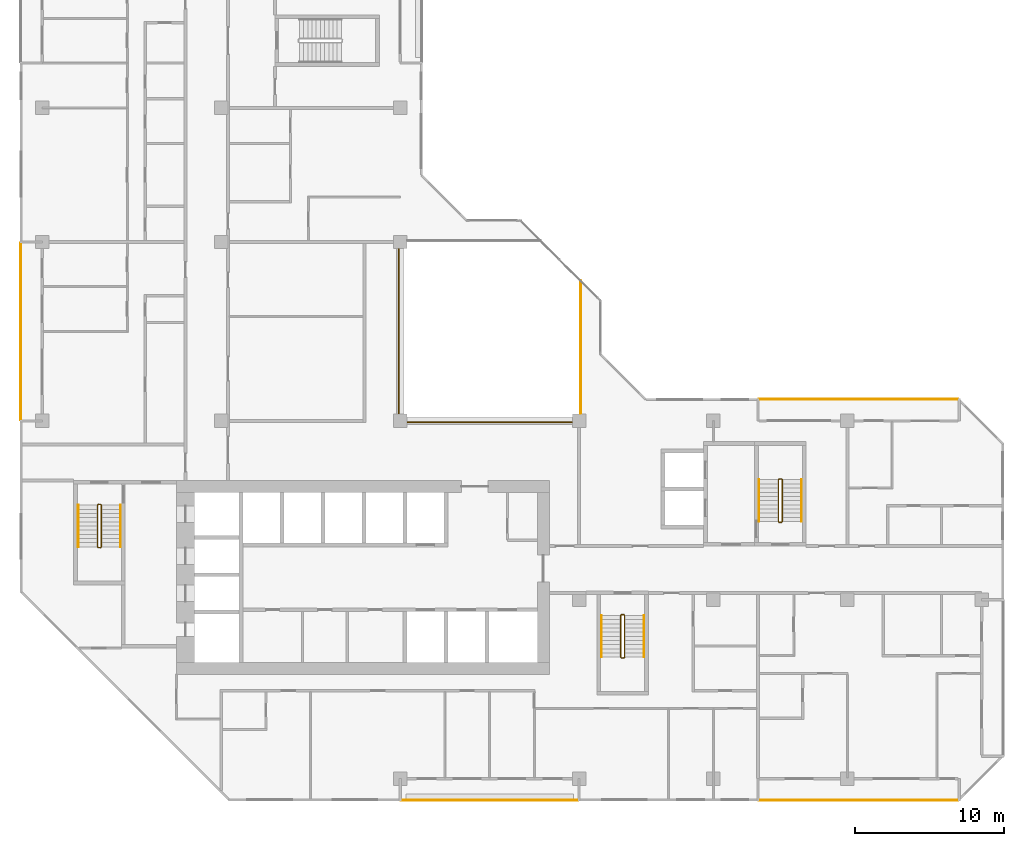
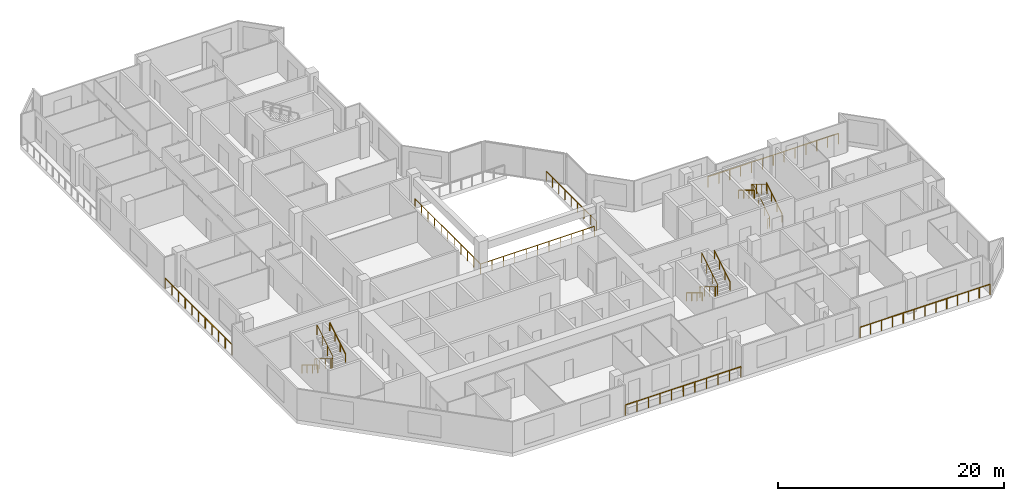
# One storey, part 14 of 15: 15 railings.
"""IFC4 building model written with IfcOpenShell, lengths in metres."""

from ifc_helpers import new_model, si_unit, direction, frame, origin, origin_2d, place, context, subcontext, project, spatial, rectangle, extrude, material, type_object, element, save


model = new_model("IFC4")

# Units and contexts
model_context = context("Model", 3, precision=1e-05, world=origin(), true_north=direction((0.0, 1.0)))
body_context = subcontext(model_context, "Body", "Model", "MODEL_VIEW")
ifc_project = project(units=[si_unit("LENGTHUNIT", "METRE"), si_unit("AREAUNIT", "SQUARE_METRE"), si_unit("VOLUMEUNIT", "CUBIC_METRE"), si_unit("PLANEANGLEUNIT", "RADIAN"), si_unit("MASSUNIT", "GRAM", prefix="KILO")], contexts=[model_context])

# Site, building, storey
site_placement = place(None, origin())
site = spatial("IfcSite", under=ifc_project, at=site_placement, CompositionType="ELEMENT")
building_placement = place(site_placement, origin())
building = spatial("IfcBuilding", under=site, at=building_placement, Name="Chenar Terraces", CompositionType="ELEMENT")
storey_placement = place(building_placement, frame((0.0, 0.0, 191.14990234375)))
storey = spatial("IfcBuildingStorey", under=building, at=storey_placement, Name="L44", CompositionType="ELEMENT", Elevation=191.14990234375)

# Railings
ifc_material_1 = material(Name="Powder-coated steel", Category="steel")
railing_type_1 = type_object("IfcRailingType", Name="Guard 1100 steel rail with glass infill", PredefinedType="GUARDRAIL", material=ifc_material_1)
railing_1_placement = place(storey_placement, frame((23.89990234375, 35.550048828125, 0.0)))
element("IfcRailing", 1, at=railing_1_placement, inside=storey, type_object=railing_type_1, Name="Guard L44-1", PredefinedType="GUARDRAIL", context=body_context, shape_type="SweptSolid", body=[
    extrude(rectangle(XDim=0.06005859375, YDim=0.06005859375, at=origin_2d()), frame((0.0, 0.0, 1.070068359375), z_axis=(0.0, -1.0, 0.0), x_axis=(1.0, 0.0, 0.0)), (0.0, 0.0, 1.0), 11.650146484375),
    extrude(rectangle(XDim=0.06005859375, YDim=0.06005859375, at=origin_2d()), frame((0.0, -11.650146484375, 1.070068359375), z_axis=(1.0, 0.0, 0.0), x_axis=(0.0, 1.0, 0.0)), (0.0, 0.0, 1.0), 11.650146484375),
    extrude(rectangle(XDim=0.050048828125, YDim=0.050048828125, at=origin_2d()), origin(), (0.0, 0.0, 1.0), 1.0400390625),
    extrude(rectangle(XDim=0.050048828125, YDim=0.050048828125, at=origin_2d()), frame((0.0, -1.1650390625, 0.0)), (0.0, 0.0, 1.0), 1.0400390625),
    extrude(rectangle(XDim=0.050048828125, YDim=0.050048828125, at=origin_2d()), frame((0.0, -2.330078125, 0.0)), (0.0, 0.0, 1.0), 1.0400390625),
    extrude(rectangle(XDim=0.050048828125, YDim=0.050048828125, at=origin_2d()), frame((0.0, -3.4951171875, 0.0)), (0.0, 0.0, 1.0), 1.0400390625),
    extrude(rectangle(XDim=0.050048828125, YDim=0.050048828125, at=origin_2d()), frame((0.0, -4.66015625, 0.0)), (0.0, 0.0, 1.0), 1.0400390625),
    extrude(rectangle(XDim=0.050048828125, YDim=0.050048828125, at=origin_2d()), frame((0.0, -5.8251953125, 0.0)), (0.0, 0.0, 1.0), 1.0400390625),
    extrude(rectangle(XDim=0.050048828125, YDim=0.050048828125, at=origin_2d()), frame((0.0, -6.989990234375, 0.0)), (0.0, 0.0, 1.0), 1.0400390625),
    extrude(rectangle(XDim=0.050048828125, YDim=0.050048828125, at=origin_2d()), frame((0.0, -8.155029296875, 0.0)), (0.0, 0.0, 1.0), 1.0400390625),
    extrude(rectangle(XDim=0.050048828125, YDim=0.050048828125, at=origin_2d()), frame((0.0, -9.320068359375, 0.0)), (0.0, 0.0, 1.0), 1.0400390625),
    extrude(rectangle(XDim=0.050048828125, YDim=0.050048828125, at=origin_2d()), frame((0.0, -10.485107421875, 0.0)), (0.0, 0.0, 1.0), 1.0400390625),
    extrude(rectangle(XDim=0.050048828125, YDim=0.050048828125, at=origin_2d()), frame((0.0, -11.650146484375, 0.0)), (0.0, 0.0, 1.0), 1.0400390625),
    extrude(rectangle(XDim=0.050048828125, YDim=0.050048828125, at=origin_2d()), frame((1.1650390625, -11.650146484375, 0.0)), (0.0, 0.0, 1.0), 1.0400390625),
    extrude(rectangle(XDim=0.050048828125, YDim=0.050048828125, at=origin_2d()), frame((2.330078125, -11.650146484375, 0.0)), (0.0, 0.0, 1.0), 1.0400390625),
    extrude(rectangle(XDim=0.050048828125, YDim=0.050048828125, at=origin_2d()), frame((3.4951171875, -11.650146484375, 0.0)), (0.0, 0.0, 1.0), 1.0400390625),
    extrude(rectangle(XDim=0.050048828125, YDim=0.050048828125, at=origin_2d()), frame((4.66015625, -11.650146484375, 0.0)), (0.0, 0.0, 1.0), 1.0400390625),
    extrude(rectangle(XDim=0.050048828125, YDim=0.050048828125, at=origin_2d()), frame((5.8251953125, -11.650146484375, 0.0)), (0.0, 0.0, 1.0), 1.0400390625),
    extrude(rectangle(XDim=0.050048828125, YDim=0.050048828125, at=origin_2d()), frame((6.989990234375, -11.650146484375, 0.0)), (0.0, 0.0, 1.0), 1.0400390625),
    extrude(rectangle(XDim=0.050048828125, YDim=0.050048828125, at=origin_2d()), frame((8.155029296875, -11.650146484375, 0.0)), (0.0, 0.0, 1.0), 1.0400390625),
    extrude(rectangle(XDim=0.050048828125, YDim=0.050048828125, at=origin_2d()), frame((9.320068359375, -11.650146484375, 0.0)), (0.0, 0.0, 1.0), 1.0400390625),
    extrude(rectangle(XDim=0.050048828125, YDim=0.050048828125, at=origin_2d()), frame((10.485107421875, -11.650146484375, 0.0)), (0.0, 0.0, 1.0), 1.0400390625),
    extrude(rectangle(XDim=0.050048828125, YDim=0.050048828125, at=origin_2d()), frame((11.650146484375, -11.650146484375, 0.0)), (0.0, 0.0, 1.0), 1.0400390625),
])
railing_2_placement = place(storey_placement, frame((36.10009765625, 24.5, 0.0)))
element("IfcRailing", 2, at=railing_2_placement, inside=storey, type_object=railing_type_1, Name="Guard L44-3", PredefinedType="GUARDRAIL", context=body_context, shape_type="SweptSolid", body=[
    extrude(rectangle(XDim=0.06005859375, YDim=0.06005859375, at=origin_2d()), frame((0.0, 0.0, 1.070068359375), z_axis=(0.0, 1.0, 0.0), x_axis=(-1.0, 0.0, 0.0)), (0.0, 0.0, 1.0), 8.89990234375),
    extrude(rectangle(XDim=0.050048828125, YDim=0.050048828125, at=origin_2d()), origin(), (0.0, 0.0, 1.0), 1.0400390625),
    extrude(rectangle(XDim=0.050048828125, YDim=0.050048828125, at=origin_2d()), frame((0.0, 1.112548828125, 0.0)), (0.0, 0.0, 1.0), 1.0400390625),
    extrude(rectangle(XDim=0.050048828125, YDim=0.050048828125, at=origin_2d()), frame((0.0, 2.22509765625, 0.0)), (0.0, 0.0, 1.0), 1.0400390625),
    extrude(rectangle(XDim=0.050048828125, YDim=0.050048828125, at=origin_2d()), frame((0.0, 3.33740234375, 0.0)), (0.0, 0.0, 1.0), 1.0400390625),
    extrude(rectangle(XDim=0.050048828125, YDim=0.050048828125, at=origin_2d()), frame((0.0, 4.449951171875, 0.0)), (0.0, 0.0, 1.0), 1.0400390625),
    extrude(rectangle(XDim=0.050048828125, YDim=0.050048828125, at=origin_2d()), frame((0.0, 5.5625, 0.0)), (0.0, 0.0, 1.0), 1.0400390625),
    extrude(rectangle(XDim=0.050048828125, YDim=0.050048828125, at=origin_2d()), frame((0.0, 6.6748046875, 0.0)), (0.0, 0.0, 1.0), 1.0400390625),
    extrude(rectangle(XDim=0.050048828125, YDim=0.050048828125, at=origin_2d()), frame((0.0, 7.787353515625, 0.0)), (0.0, 0.0, 1.0), 1.0400390625),
    extrude(rectangle(XDim=0.050048828125, YDim=0.050048828125, at=origin_2d()), frame((0.0, 8.89990234375, 0.0)), (0.0, 0.0, 1.0), 1.0400390625),
])
ifc_material_2 = material(Name="Stainless steel and glass", Category="steel")
railing_type_2 = type_object("IfcRailingType", Name="Loggia guard 1150", PredefinedType="GUARDRAIL", material=ifc_material_2)
railing_3_placement = place(storey_placement, frame((61.425048828125, 25.449951171875, 0.0)))
element("IfcRailing", 3, at=railing_3_placement, inside=storey, type_object=railing_type_2, Name="Loggia guard", PredefinedType="GUARDRAIL", context=body_context, shape_type="SweptSolid", body=[
    extrude(rectangle(XDim=0.048095703125, YDim=0.048095703125, at=origin_2d()), frame((0.0, 0.0, 1.1259765625), z_axis=(-1.0, 0.0, 0.0), x_axis=(0.0, -1.0, 0.0)), (0.0, 0.0, 1.0), 13.35009765625),
    extrude(rectangle(XDim=0.0419921875, YDim=0.0419921875, at=origin_2d()), origin(), (0.0, 0.0, 1.0), 1.101806640625),
    extrude(rectangle(XDim=0.0419921875, YDim=0.0419921875, at=origin_2d()), frame((-1.112548828125, 0.0, 0.0)), (0.0, 0.0, 1.0), 1.101806640625),
    extrude(rectangle(XDim=0.0419921875, YDim=0.0419921875, at=origin_2d()), frame((-2.22509765625, 0.0, 0.0)), (0.0, 0.0, 1.0), 1.101806640625),
    extrude(rectangle(XDim=0.0419921875, YDim=0.0419921875, at=origin_2d()), frame((-3.33740234375, 0.0, 0.0)), (0.0, 0.0, 1.0), 1.101806640625),
    extrude(rectangle(XDim=0.0419921875, YDim=0.0419921875, at=origin_2d()), frame((-4.449951171875, 0.0, 0.0)), (0.0, 0.0, 1.0), 1.101806640625),
    extrude(rectangle(XDim=0.0419921875, YDim=0.0419921875, at=origin_2d()), frame((-5.5625, 0.0, 0.0)), (0.0, 0.0, 1.0), 1.101806640625),
    extrude(rectangle(XDim=0.0419921875, YDim=0.0419921875, at=origin_2d()), frame((-6.675048828125, 0.0, 0.0)), (0.0, 0.0, 1.0), 1.101806640625),
    extrude(rectangle(XDim=0.0419921875, YDim=0.0419921875, at=origin_2d()), frame((-7.78759765625, 0.0, 0.0)), (0.0, 0.0, 1.0), 1.101806640625),
    extrude(rectangle(XDim=0.0419921875, YDim=0.0419921875, at=origin_2d()), frame((-8.900146484375, 0.0, 0.0)), (0.0, 0.0, 1.0), 1.101806640625),
    extrude(rectangle(XDim=0.0419921875, YDim=0.0419921875, at=origin_2d()), frame((-10.0126953125, 0.0, 0.0)), (0.0, 0.0, 1.0), 1.101806640625),
    extrude(rectangle(XDim=0.0419921875, YDim=0.0419921875, at=origin_2d()), frame((-11.125, 0.0, 0.0)), (0.0, 0.0, 1.0), 1.101806640625),
    extrude(rectangle(XDim=0.0419921875, YDim=0.0419921875, at=origin_2d()), frame((-12.237548828125, 0.0, 0.0)), (0.0, 0.0, 1.0), 1.101806640625),
    extrude(rectangle(XDim=0.0419921875, YDim=0.0419921875, at=origin_2d()), frame((-13.35009765625, 0.0, 0.0)), (0.0, 0.0, 1.0), 1.101806640625),
])
railing_4_placement = place(storey_placement, frame((24.074951171875, -1.449951171875, 0.0)))
element("IfcRailing", 4, at=railing_4_placement, inside=storey, type_object=railing_type_2, Name="Loggia guard", PredefinedType="GUARDRAIL", context=body_context, shape_type="SweptSolid", body=[
    extrude(rectangle(XDim=0.048095703125, YDim=0.048095703125, at=origin_2d()), frame((0.0, 0.0, 1.1259765625), z_axis=(1.0, 0.0, 0.0), x_axis=(0.0, 1.0, 0.0)), (0.0, 0.0, 1.0), 11.85009765625),
    extrude(rectangle(XDim=0.0419921875, YDim=0.0419921875, at=origin_2d()), origin(), (0.0, 0.0, 1.0), 1.101806640625),
    extrude(rectangle(XDim=0.0419921875, YDim=0.0419921875, at=origin_2d()), frame((1.18505859375, 0.0, 0.0)), (0.0, 0.0, 1.0), 1.101806640625),
    extrude(rectangle(XDim=0.0419921875, YDim=0.0419921875, at=origin_2d()), frame((2.3701171875, 0.0, 0.0)), (0.0, 0.0, 1.0), 1.101806640625),
    extrude(rectangle(XDim=0.0419921875, YDim=0.0419921875, at=origin_2d()), frame((3.554931640625, 0.0, 0.0)), (0.0, 0.0, 1.0), 1.101806640625),
    extrude(rectangle(XDim=0.0419921875, YDim=0.0419921875, at=origin_2d()), frame((4.739990234375, 0.0, 0.0)), (0.0, 0.0, 1.0), 1.101806640625),
    extrude(rectangle(XDim=0.0419921875, YDim=0.0419921875, at=origin_2d()), frame((5.925048828125, 0.0, 0.0)), (0.0, 0.0, 1.0), 1.101806640625),
    extrude(rectangle(XDim=0.0419921875, YDim=0.0419921875, at=origin_2d()), frame((7.110107421875, 0.0, 0.0)), (0.0, 0.0, 1.0), 1.101806640625),
    extrude(rectangle(XDim=0.0419921875, YDim=0.0419921875, at=origin_2d()), frame((8.295166015625, 0.0, 0.0)), (0.0, 0.0, 1.0), 1.101806640625),
    extrude(rectangle(XDim=0.0419921875, YDim=0.0419921875, at=origin_2d()), frame((9.47998046875, 0.0, 0.0)), (0.0, 0.0, 1.0), 1.101806640625),
    extrude(rectangle(XDim=0.0419921875, YDim=0.0419921875, at=origin_2d()), frame((10.6650390625, 0.0, 0.0)), (0.0, 0.0, 1.0), 1.101806640625),
    extrude(rectangle(XDim=0.0419921875, YDim=0.0419921875, at=origin_2d()), frame((11.85009765625, 0.0, 0.0)), (0.0, 0.0, 1.0), 1.101806640625),
])
railing_5_placement = place(storey_placement, frame((48.074951171875, -1.449951171875, 0.0)))
element("IfcRailing", 5, at=railing_5_placement, inside=storey, type_object=railing_type_2, Name="Loggia guard", PredefinedType="GUARDRAIL", context=body_context, shape_type="SweptSolid", body=[
    extrude(rectangle(XDim=0.048095703125, YDim=0.048095703125, at=origin_2d()), frame((0.0, 0.0, 1.1259765625), z_axis=(1.0, 0.0, 0.0), x_axis=(0.0, 1.0, 0.0)), (0.0, 0.0, 1.0), 13.35009765625),
    extrude(rectangle(XDim=0.0419921875, YDim=0.0419921875, at=origin_2d()), origin(), (0.0, 0.0, 1.0), 1.101806640625),
    extrude(rectangle(XDim=0.0419921875, YDim=0.0419921875, at=origin_2d()), frame((1.112548828125, 0.0, 0.0)), (0.0, 0.0, 1.0), 1.101806640625),
    extrude(rectangle(XDim=0.0419921875, YDim=0.0419921875, at=origin_2d()), frame((2.22509765625, 0.0, 0.0)), (0.0, 0.0, 1.0), 1.101806640625),
    extrude(rectangle(XDim=0.0419921875, YDim=0.0419921875, at=origin_2d()), frame((3.33740234375, 0.0, 0.0)), (0.0, 0.0, 1.0), 1.101806640625),
    extrude(rectangle(XDim=0.0419921875, YDim=0.0419921875, at=origin_2d()), frame((4.449951171875, 0.0, 0.0)), (0.0, 0.0, 1.0), 1.101806640625),
    extrude(rectangle(XDim=0.0419921875, YDim=0.0419921875, at=origin_2d()), frame((5.5625, 0.0, 0.0)), (0.0, 0.0, 1.0), 1.101806640625),
    extrude(rectangle(XDim=0.0419921875, YDim=0.0419921875, at=origin_2d()), frame((6.675048828125, 0.0, 0.0)), (0.0, 0.0, 1.0), 1.101806640625),
    extrude(rectangle(XDim=0.0419921875, YDim=0.0419921875, at=origin_2d()), frame((7.78759765625, 0.0, 0.0)), (0.0, 0.0, 1.0), 1.101806640625),
    extrude(rectangle(XDim=0.0419921875, YDim=0.0419921875, at=origin_2d()), frame((8.900146484375, 0.0, 0.0)), (0.0, 0.0, 1.0), 1.101806640625),
    extrude(rectangle(XDim=0.0419921875, YDim=0.0419921875, at=origin_2d()), frame((10.0126953125, 0.0, 0.0)), (0.0, 0.0, 1.0), 1.101806640625),
    extrude(rectangle(XDim=0.0419921875, YDim=0.0419921875, at=origin_2d()), frame((11.125, 0.0, 0.0)), (0.0, 0.0, 1.0), 1.101806640625),
    extrude(rectangle(XDim=0.0419921875, YDim=0.0419921875, at=origin_2d()), frame((12.237548828125, 0.0, 0.0)), (0.0, 0.0, 1.0), 1.101806640625),
    extrude(rectangle(XDim=0.0419921875, YDim=0.0419921875, at=origin_2d()), frame((13.35009765625, 0.0, 0.0)), (0.0, 0.0, 1.0), 1.101806640625),
])
railing_6_placement = place(storey_placement, frame((-1.449951171875, 35.925048828125, 0.0)))
element("IfcRailing", 6, at=railing_6_placement, inside=storey, type_object=railing_type_2, Name="Loggia guard", PredefinedType="GUARDRAIL", context=body_context, shape_type="SweptSolid", body=[
    extrude(rectangle(XDim=0.048095703125, YDim=0.048095703125, at=origin_2d()), frame((0.0, 0.0, 1.1259765625), z_axis=(0.0, -1.0, 0.0), x_axis=(1.0, 0.0, 0.0)), (0.0, 0.0, 1.0), 11.85009765625),
    extrude(rectangle(XDim=0.0419921875, YDim=0.0419921875, at=origin_2d()), origin(), (0.0, 0.0, 1.0), 1.101806640625),
    extrude(rectangle(XDim=0.0419921875, YDim=0.0419921875, at=origin_2d()), frame((0.0, -1.18505859375, 0.0)), (0.0, 0.0, 1.0), 1.101806640625),
    extrude(rectangle(XDim=0.0419921875, YDim=0.0419921875, at=origin_2d()), frame((0.0, -2.3701171875, 0.0)), (0.0, 0.0, 1.0), 1.101806640625),
    extrude(rectangle(XDim=0.0419921875, YDim=0.0419921875, at=origin_2d()), frame((0.0, -3.554931640625, 0.0)), (0.0, 0.0, 1.0), 1.101806640625),
    extrude(rectangle(XDim=0.0419921875, YDim=0.0419921875, at=origin_2d()), frame((0.0, -4.739990234375, 0.0)), (0.0, 0.0, 1.0), 1.101806640625),
    extrude(rectangle(XDim=0.0419921875, YDim=0.0419921875, at=origin_2d()), frame((0.0, -5.925048828125, 0.0)), (0.0, 0.0, 1.0), 1.101806640625),
    extrude(rectangle(XDim=0.0419921875, YDim=0.0419921875, at=origin_2d()), frame((0.0, -7.110107421875, 0.0)), (0.0, 0.0, 1.0), 1.101806640625),
    extrude(rectangle(XDim=0.0419921875, YDim=0.0419921875, at=origin_2d()), frame((0.0, -8.295166015625, 0.0)), (0.0, 0.0, 1.0), 1.101806640625),
    extrude(rectangle(XDim=0.0419921875, YDim=0.0419921875, at=origin_2d()), frame((0.0, -9.47998046875, 0.0)), (0.0, 0.0, 1.0), 1.101806640625),
    extrude(rectangle(XDim=0.0419921875, YDim=0.0419921875, at=origin_2d()), frame((0.0, -10.6650390625, 0.0)), (0.0, 0.0, 1.0), 1.101806640625),
    extrude(rectangle(XDim=0.0419921875, YDim=0.0419921875, at=origin_2d()), frame((0.0, -11.85009765625, 0.0)), (0.0, 0.0, 1.0), 1.101806640625),
])
ifc_material_3 = material(Name="Powder-coated steel", Category="steel")
railing_type_3 = type_object("IfcRailingType", Name="Stair guard 1100", PredefinedType="GUARDRAIL", material=ifc_material_3)
railing_7_placement = place(storey_placement, frame((3.949951171875, 18.35009765625, 3.75)))
element("IfcRailing", 7, at=railing_7_placement, inside=storey, type_object=railing_type_3, Name="L44 ST1 stair guard 1", PredefinedType="GUARDRAIL", context=body_context, shape_type="SweptSolid", body=[
    extrude(rectangle(XDim=0.048095703125, YDim=0.048095703125, at=origin_2d()), frame((0.0, 0.0, 1.076171875), z_axis=(0.0, -0.854202870247, -0.519939858505), x_axis=(1.0, 0.0, 0.0)), (0.0, 0.0, 1.0), 3.278076171875),
    extrude(rectangle(XDim=0.048095703125, YDim=0.048095703125, at=origin_2d()), frame((0.0, -2.800048828125, -0.62841796875), z_axis=(-0.270899902878, -0.270899902878, -0.923702595667), x_axis=(0.707106781187, -0.707106781187, 0.0)), (0.0, 0.0, 1.0), 0.184814453125),
    extrude(rectangle(XDim=0.048095703125, YDim=0.048095703125, at=origin_2d()), frame((-0.050048828125, -2.85009765625, -0.798828125), z_axis=(-1.0, 0.0, 0.0), x_axis=(0.0, -1.0, 0.0)), (0.0, 0.0, 1.0), 0.14990234375),
    extrude(rectangle(XDim=0.048095703125, YDim=0.048095703125, at=origin_2d()), frame((-0.199951171875, -2.85009765625, -0.798828125), z_axis=(-0.707106781187, 0.707106781187, 0.0), x_axis=(-0.707106781187, -0.707106781187, 0.0)), (0.0, 0.0, 1.0), 0.07080078125),
    extrude(rectangle(XDim=0.048095703125, YDim=0.048095703125, at=origin_2d()), frame((-0.25, -2.800048828125, -0.798828125), z_axis=(0.0, 0.854202870247, -0.519939858505), x_axis=(-1.0, 0.0, 0.0)), (0.0, 0.0, 1.0), 3.278076171875),
    extrude(rectangle(XDim=0.048095703125, YDim=0.048095703125, at=origin_2d()), frame((-0.25, 0.0, -2.50341796875), z_axis=(0.270996696079, 0.269674760976, -0.924032636873), x_axis=(-0.705375805398, 0.708833529934, 0.0)), (0.0, 0.0, 1.0), 0.1845703125),
    extrude(rectangle(XDim=0.048095703125, YDim=0.048095703125, at=origin_2d()), frame((-0.199951171875, 0.0498046875, -2.673828125), z_axis=(1.0, 0.0, 0.0), x_axis=(0.0, 1.0, 0.0)), (0.0, 0.0, 1.0), 0.14990234375),
    extrude(rectangle(XDim=0.0419921875, YDim=0.0419921875, at=origin_2d()), origin(), (0.0, 0.0, 1.0), 1.052001953125),
    extrude(rectangle(XDim=0.0419921875, YDim=0.0419921875, at=origin_2d()), frame((0.0, -0.933349609375, -0.568115234375)), (0.0, 0.0, 1.0), 1.052001953125),
    extrude(rectangle(XDim=0.0419921875, YDim=0.0419921875, at=origin_2d()), frame((0.0, -1.86669921875, -1.13623046875)), (0.0, 0.0, 1.0), 1.052001953125),
    extrude(rectangle(XDim=0.0419921875, YDim=0.0419921875, at=origin_2d()), frame((0.0, -2.800048828125, -1.704345703125)), (0.0, 0.0, 1.0), 1.052001953125),
    extrude(rectangle(XDim=0.0419921875, YDim=0.0419921875, at=origin_2d()), frame((-0.050048828125, -2.85009765625, -1.875)), (0.0, 0.0, 1.0), 1.052001953125),
    extrude(rectangle(XDim=0.0419921875, YDim=0.0419921875, at=origin_2d()), frame((-0.199951171875, -2.85009765625, -1.875)), (0.0, 0.0, 1.0), 1.052001953125),
    extrude(rectangle(XDim=0.0419921875, YDim=0.0419921875, at=origin_2d()), frame((-0.25, -2.800048828125, -1.875)), (0.0, 0.0, 1.0), 1.052001953125),
    extrude(rectangle(XDim=0.0419921875, YDim=0.0419921875, at=origin_2d()), frame((-0.25, -1.86669921875, -2.443115234375)), (0.0, 0.0, 1.0), 1.052001953125),
    extrude(rectangle(XDim=0.0419921875, YDim=0.0419921875, at=origin_2d()), frame((-0.25, -0.933349609375, -3.01123046875)), (0.0, 0.0, 1.0), 1.052001953125),
    extrude(rectangle(XDim=0.0419921875, YDim=0.0419921875, at=origin_2d()), frame((-0.25, 0.0, -3.579345703125)), (0.0, 0.0, 1.0), 1.052001953125),
    extrude(rectangle(XDim=0.0419921875, YDim=0.0419921875, at=origin_2d()), frame((-0.199951171875, 0.0498046875, -3.75)), (0.0, 0.0, 1.0), 1.052001953125),
    extrude(rectangle(XDim=0.0419921875, YDim=0.0419921875, at=origin_2d()), frame((-0.050048828125, 0.0498046875, -3.75)), (0.0, 0.0, 1.0), 1.052001953125),
])
railing_8_placement = place(storey_placement, frame((39.050048828125, 10.949951171875, 3.75)))
element("IfcRailing", 8, at=railing_8_placement, inside=storey, type_object=railing_type_3, Name="L44 ST2 stair guard 1", PredefinedType="GUARDRAIL", context=body_context, shape_type="SweptSolid", body=[
    extrude(rectangle(XDim=0.048095703125, YDim=0.048095703125, at=origin_2d()), frame((0.0, 0.0, 1.076171875), z_axis=(0.0, -0.854202870247, -0.519939858505), x_axis=(1.0, 0.0, 0.0)), (0.0, 0.0, 1.0), 3.278076171875),
    extrude(rectangle(XDim=0.048095703125, YDim=0.048095703125, at=origin_2d()), frame((0.0, -2.800048828125, -0.62841796875), z_axis=(-0.270996696079, -0.269674760976, -0.924032636873), x_axis=(0.705375805398, -0.708833529934, 0.0)), (0.0, 0.0, 1.0), 0.1845703125),
    extrude(rectangle(XDim=0.048095703125, YDim=0.048095703125, at=origin_2d()), frame((-0.050048828125, -2.849853515625, -0.798828125), z_axis=(-1.0, 0.0, 0.0), x_axis=(0.0, -1.0, 0.0)), (0.0, 0.0, 1.0), 0.14990234375),
    extrude(rectangle(XDim=0.048095703125, YDim=0.048095703125, at=origin_2d()), frame((-0.199951171875, -2.849853515625, -0.798828125), z_axis=(-0.708833529934, 0.705375805398, 0.0), x_axis=(-0.705375805398, -0.708833529934, 0.0)), (0.0, 0.0, 1.0), 0.070556640625),
    extrude(rectangle(XDim=0.048095703125, YDim=0.048095703125, at=origin_2d()), frame((-0.25, -2.800048828125, -0.798828125), z_axis=(0.0, 0.854202870247, -0.519939858505), x_axis=(-1.0, 0.0, 0.0)), (0.0, 0.0, 1.0), 3.278076171875),
    extrude(rectangle(XDim=0.048095703125, YDim=0.048095703125, at=origin_2d()), frame((-0.25, 0.0, -2.50341796875), z_axis=(0.270899902878, 0.270899902878, -0.923702595667), x_axis=(-0.707106781187, 0.707106781187, 0.0)), (0.0, 0.0, 1.0), 0.184814453125),
    extrude(rectangle(XDim=0.048095703125, YDim=0.048095703125, at=origin_2d()), frame((-0.199951171875, 0.050048828125, -2.673828125), z_axis=(1.0, 0.0, 0.0), x_axis=(0.0, 1.0, 0.0)), (0.0, 0.0, 1.0), 0.14990234375),
    extrude(rectangle(XDim=0.0419921875, YDim=0.0419921875, at=origin_2d()), origin(), (0.0, 0.0, 1.0), 1.052001953125),
    extrude(rectangle(XDim=0.0419921875, YDim=0.0419921875, at=origin_2d()), frame((0.0, -0.933349609375, -0.568115234375)), (0.0, 0.0, 1.0), 1.052001953125),
    extrude(rectangle(XDim=0.0419921875, YDim=0.0419921875, at=origin_2d()), frame((0.0, -1.86669921875, -1.13623046875)), (0.0, 0.0, 1.0), 1.052001953125),
    extrude(rectangle(XDim=0.0419921875, YDim=0.0419921875, at=origin_2d()), frame((0.0, -2.800048828125, -1.704345703125)), (0.0, 0.0, 1.0), 1.052001953125),
    extrude(rectangle(XDim=0.0419921875, YDim=0.0419921875, at=origin_2d()), frame((-0.050048828125, -2.849853515625, -1.875)), (0.0, 0.0, 1.0), 1.052001953125),
    extrude(rectangle(XDim=0.0419921875, YDim=0.0419921875, at=origin_2d()), frame((-0.199951171875, -2.849853515625, -1.875)), (0.0, 0.0, 1.0), 1.052001953125),
    extrude(rectangle(XDim=0.0419921875, YDim=0.0419921875, at=origin_2d()), frame((-0.25, -2.800048828125, -1.875)), (0.0, 0.0, 1.0), 1.052001953125),
    extrude(rectangle(XDim=0.0419921875, YDim=0.0419921875, at=origin_2d()), frame((-0.25, -1.86669921875, -2.443115234375)), (0.0, 0.0, 1.0), 1.052001953125),
    extrude(rectangle(XDim=0.0419921875, YDim=0.0419921875, at=origin_2d()), frame((-0.25, -0.933349609375, -3.01123046875)), (0.0, 0.0, 1.0), 1.052001953125),
    extrude(rectangle(XDim=0.0419921875, YDim=0.0419921875, at=origin_2d()), frame((-0.25, 0.0, -3.579345703125)), (0.0, 0.0, 1.0), 1.052001953125),
    extrude(rectangle(XDim=0.0419921875, YDim=0.0419921875, at=origin_2d()), frame((-0.199951171875, 0.050048828125, -3.75)), (0.0, 0.0, 1.0), 1.052001953125),
    extrude(rectangle(XDim=0.0419921875, YDim=0.0419921875, at=origin_2d()), frame((-0.050048828125, 0.050048828125, -3.75)), (0.0, 0.0, 1.0), 1.052001953125),
])
railing_9_placement = place(storey_placement, frame((49.375, 17.25, 3.75)))
element("IfcRailing", 9, at=railing_9_placement, inside=storey, type_object=railing_type_3, Name="L44 ST3 stair guard 1", PredefinedType="GUARDRAIL", context=body_context, shape_type="SweptSolid", body=[
    extrude(rectangle(XDim=0.048095703125, YDim=0.048095703125, at=origin_2d()), frame((0.0, 0.0, 1.076171875), z_axis=(0.0, 0.854202870247, -0.519939858505), x_axis=(-1.0, 0.0, 0.0)), (0.0, 0.0, 1.0), 3.278076171875),
    extrude(rectangle(XDim=0.048095703125, YDim=0.048095703125, at=origin_2d()), frame((0.0, 2.800048828125, -0.62841796875), z_axis=(0.270899902878, 0.270899902878, -0.923702595667), x_axis=(-0.707106781187, 0.707106781187, 0.0)), (0.0, 0.0, 1.0), 0.184814453125),
    extrude(rectangle(XDim=0.048095703125, YDim=0.048095703125, at=origin_2d()), frame((0.050048828125, 2.85009765625, -0.798828125), z_axis=(1.0, 0.0, 0.0), x_axis=(0.0, 1.0, 0.0)), (0.0, 0.0, 1.0), 0.14990234375),
    extrude(rectangle(XDim=0.048095703125, YDim=0.048095703125, at=origin_2d()), frame((0.199951171875, 2.85009765625, -0.798828125), z_axis=(0.707106781187, -0.707106781187, 0.0), x_axis=(0.707106781187, 0.707106781187, 0.0)), (0.0, 0.0, 1.0), 0.07080078125),
    extrude(rectangle(XDim=0.048095703125, YDim=0.048095703125, at=origin_2d()), frame((0.25, 2.800048828125, -0.798828125), z_axis=(0.0, -0.854202870247, -0.519939858505), x_axis=(1.0, 0.0, 0.0)), (0.0, 0.0, 1.0), 3.278076171875),
    extrude(rectangle(XDim=0.048095703125, YDim=0.048095703125, at=origin_2d()), frame((0.25, 0.0, -2.50341796875), z_axis=(-0.270899902878, -0.270899902878, -0.923702595667), x_axis=(0.707106781187, -0.707106781187, 0.0)), (0.0, 0.0, 1.0), 0.184814453125),
    extrude(rectangle(XDim=0.048095703125, YDim=0.048095703125, at=origin_2d()), frame((0.199951171875, -0.050048828125, -2.673828125), z_axis=(-1.0, 0.0, 0.0), x_axis=(0.0, -1.0, 0.0)), (0.0, 0.0, 1.0), 0.14990234375),
    extrude(rectangle(XDim=0.0419921875, YDim=0.0419921875, at=origin_2d()), origin(), (0.0, 0.0, 1.0), 1.052001953125),
    extrude(rectangle(XDim=0.0419921875, YDim=0.0419921875, at=origin_2d()), frame((0.0, 0.933349609375, -0.568115234375)), (0.0, 0.0, 1.0), 1.052001953125),
    extrude(rectangle(XDim=0.0419921875, YDim=0.0419921875, at=origin_2d()), frame((0.0, 1.86669921875, -1.13623046875)), (0.0, 0.0, 1.0), 1.052001953125),
    extrude(rectangle(XDim=0.0419921875, YDim=0.0419921875, at=origin_2d()), frame((0.0, 2.800048828125, -1.704345703125)), (0.0, 0.0, 1.0), 1.052001953125),
    extrude(rectangle(XDim=0.0419921875, YDim=0.0419921875, at=origin_2d()), frame((0.050048828125, 2.85009765625, -1.875)), (0.0, 0.0, 1.0), 1.052001953125),
    extrude(rectangle(XDim=0.0419921875, YDim=0.0419921875, at=origin_2d()), frame((0.199951171875, 2.85009765625, -1.875)), (0.0, 0.0, 1.0), 1.052001953125),
    extrude(rectangle(XDim=0.0419921875, YDim=0.0419921875, at=origin_2d()), frame((0.25, 2.800048828125, -1.875)), (0.0, 0.0, 1.0), 1.052001953125),
    extrude(rectangle(XDim=0.0419921875, YDim=0.0419921875, at=origin_2d()), frame((0.25, 1.86669921875, -2.443115234375)), (0.0, 0.0, 1.0), 1.052001953125),
    extrude(rectangle(XDim=0.0419921875, YDim=0.0419921875, at=origin_2d()), frame((0.25, 0.933349609375, -3.01123046875)), (0.0, 0.0, 1.0), 1.052001953125),
    extrude(rectangle(XDim=0.0419921875, YDim=0.0419921875, at=origin_2d()), frame((0.25, 0.0, -3.579345703125)), (0.0, 0.0, 1.0), 1.052001953125),
    extrude(rectangle(XDim=0.0419921875, YDim=0.0419921875, at=origin_2d()), frame((0.199951171875, -0.050048828125, -3.75)), (0.0, 0.0, 1.0), 1.052001953125),
    extrude(rectangle(XDim=0.0419921875, YDim=0.0419921875, at=origin_2d()), frame((0.050048828125, -0.050048828125, -3.75)), (0.0, 0.0, 1.0), 1.052001953125),
])
ifc_material_4 = material(Name="Powder-coated steel", Category="steel")
railing_type_4 = type_object("IfcRailingType", Name="Stair handrail 900", PredefinedType="HANDRAIL", material=ifc_material_4)
railing_10_placement = place(storey_placement, frame((2.39990234375, 18.35009765625, 0.170654296875)))
element("IfcRailing", 10, at=railing_10_placement, inside=storey, type_object=railing_type_4, Name="L44 ST1 stair handrail 1", PredefinedType="HANDRAIL", context=body_context, shape_type="SweptSolid", body=[
    extrude(rectangle(XDim=0.048095703125, YDim=0.048095703125, at=origin_2d()), frame((0.0, 0.0, 0.8759765625), z_axis=(0.0, -0.854202870247, 0.519939858505), x_axis=(1.0, 0.0, 0.0)), (0.0, 0.0, 1.0), 3.278076171875),
    extrude(rectangle(XDim=0.0419921875, YDim=0.0419921875, at=origin_2d()), origin(), (0.0, 0.0, 1.0), 0.851806640625),
    extrude(rectangle(XDim=0.0419921875, YDim=0.0419921875, at=origin_2d()), frame((0.0, -0.933349609375, 0.568115234375)), (0.0, 0.0, 1.0), 0.851806640625),
    extrude(rectangle(XDim=0.0419921875, YDim=0.0419921875, at=origin_2d()), frame((0.0, -1.86669921875, 1.13623046875)), (0.0, 0.0, 1.0), 0.851806640625),
    extrude(rectangle(XDim=0.0419921875, YDim=0.0419921875, at=origin_2d()), frame((0.0, -2.800048828125, 1.704345703125)), (0.0, 0.0, 1.0), 0.851806640625),
])
railing_11_placement = place(storey_placement, frame((5.25, 15.550048828125, 2.045654296875)))
element("IfcRailing", 11, at=railing_11_placement, inside=storey, type_object=railing_type_4, Name="L44 ST1 stair handrail 2", PredefinedType="HANDRAIL", context=body_context, shape_type="SweptSolid", body=[
    extrude(rectangle(XDim=0.048095703125, YDim=0.048095703125, at=origin_2d()), frame((0.0, 0.0, 0.8759765625), z_axis=(0.0, 0.854202870247, 0.519939858505), x_axis=(-1.0, 0.0, 0.0)), (0.0, 0.0, 1.0), 3.278076171875),
    extrude(rectangle(XDim=0.0419921875, YDim=0.0419921875, at=origin_2d()), origin(), (0.0, 0.0, 1.0), 0.851806640625),
    extrude(rectangle(XDim=0.0419921875, YDim=0.0419921875, at=origin_2d()), frame((0.0, 0.933349609375, 0.568115234375)), (0.0, 0.0, 1.0), 0.851806640625),
    extrude(rectangle(XDim=0.0419921875, YDim=0.0419921875, at=origin_2d()), frame((0.0, 1.86669921875, 1.13623046875)), (0.0, 0.0, 1.0), 0.851806640625),
    extrude(rectangle(XDim=0.0419921875, YDim=0.0419921875, at=origin_2d()), frame((0.0, 2.800048828125, 1.704345703125)), (0.0, 0.0, 1.0), 0.851806640625),
])
railing_12_placement = place(storey_placement, frame((37.5, 10.949951171875, 0.170654296875)))
element("IfcRailing", 12, at=railing_12_placement, inside=storey, type_object=railing_type_4, Name="L44 ST2 stair handrail 1", PredefinedType="HANDRAIL", context=body_context, shape_type="SweptSolid", body=[
    extrude(rectangle(XDim=0.048095703125, YDim=0.048095703125, at=origin_2d()), frame((0.0, 0.0, 0.8759765625), z_axis=(0.0, -0.854202870247, 0.519939858505), x_axis=(1.0, 0.0, 0.0)), (0.0, 0.0, 1.0), 3.278076171875),
    extrude(rectangle(XDim=0.0419921875, YDim=0.0419921875, at=origin_2d()), origin(), (0.0, 0.0, 1.0), 0.851806640625),
    extrude(rectangle(XDim=0.0419921875, YDim=0.0419921875, at=origin_2d()), frame((0.0, -0.933349609375, 0.568115234375)), (0.0, 0.0, 1.0), 0.851806640625),
    extrude(rectangle(XDim=0.0419921875, YDim=0.0419921875, at=origin_2d()), frame((0.0, -1.86669921875, 1.13623046875)), (0.0, 0.0, 1.0), 0.851806640625),
    extrude(rectangle(XDim=0.0419921875, YDim=0.0419921875, at=origin_2d()), frame((0.0, -2.800048828125, 1.704345703125)), (0.0, 0.0, 1.0), 0.851806640625),
])
for number, where, name in (
    (13, (40.35009765625, 8.14990234375, 2.045654296875), "L44 ST2 stair handrail 2"),
    (14, (50.925048828125, 17.25, 0.170654296875), "L44 ST3 stair handrail 1"),
):
    element("IfcRailing", number, at=place(storey_placement, frame(where)), inside=storey, type_object=railing_type_4, Name=name, PredefinedType="HANDRAIL", context=body_context, shape_type="SweptSolid", body=[
        extrude(rectangle(XDim=0.048095703125, YDim=0.048095703125, at=origin_2d()), frame((0.0, 0.0, 0.8759765625), z_axis=(0.0, 0.854202870247, 0.519939858505), x_axis=(-1.0, 0.0, 0.0)), (0.0, 0.0, 1.0), 3.278076171875),
        extrude(rectangle(XDim=0.0419921875, YDim=0.0419921875, at=origin_2d()), origin(), (0.0, 0.0, 1.0), 0.851806640625),
        extrude(rectangle(XDim=0.0419921875, YDim=0.0419921875, at=origin_2d()), frame((0.0, 0.933349609375, 0.568115234375)), (0.0, 0.0, 1.0), 0.851806640625),
        extrude(rectangle(XDim=0.0419921875, YDim=0.0419921875, at=origin_2d()), frame((0.0, 1.86669921875, 1.13623046875)), (0.0, 0.0, 1.0), 0.851806640625),
        extrude(rectangle(XDim=0.0419921875, YDim=0.0419921875, at=origin_2d()), frame((0.0, 2.800048828125, 1.704345703125)), (0.0, 0.0, 1.0), 0.851806640625),
    ])
railing_13_placement = place(storey_placement, frame((48.074951171875, 20.050048828125, 2.045654296875)))
element("IfcRailing", 15, at=railing_13_placement, inside=storey, type_object=railing_type_4, Name="L44 ST3 stair handrail 2", PredefinedType="HANDRAIL", context=body_context, shape_type="SweptSolid", body=[
    extrude(rectangle(XDim=0.048095703125, YDim=0.048095703125, at=origin_2d()), frame((0.0, 0.0, 0.8759765625), z_axis=(0.0, -0.854202870247, 0.519939858505), x_axis=(1.0, 0.0, 0.0)), (0.0, 0.0, 1.0), 3.278076171875),
    extrude(rectangle(XDim=0.0419921875, YDim=0.0419921875, at=origin_2d()), origin(), (0.0, 0.0, 1.0), 0.851806640625),
    extrude(rectangle(XDim=0.0419921875, YDim=0.0419921875, at=origin_2d()), frame((0.0, -0.933349609375, 0.568115234375)), (0.0, 0.0, 1.0), 0.851806640625),
    extrude(rectangle(XDim=0.0419921875, YDim=0.0419921875, at=origin_2d()), frame((0.0, -1.86669921875, 1.13623046875)), (0.0, 0.0, 1.0), 0.851806640625),
    extrude(rectangle(XDim=0.0419921875, YDim=0.0419921875, at=origin_2d()), frame((0.0, -2.800048828125, 1.704345703125)), (0.0, 0.0, 1.0), 0.851806640625),
])

save(model, "model.ifc")
